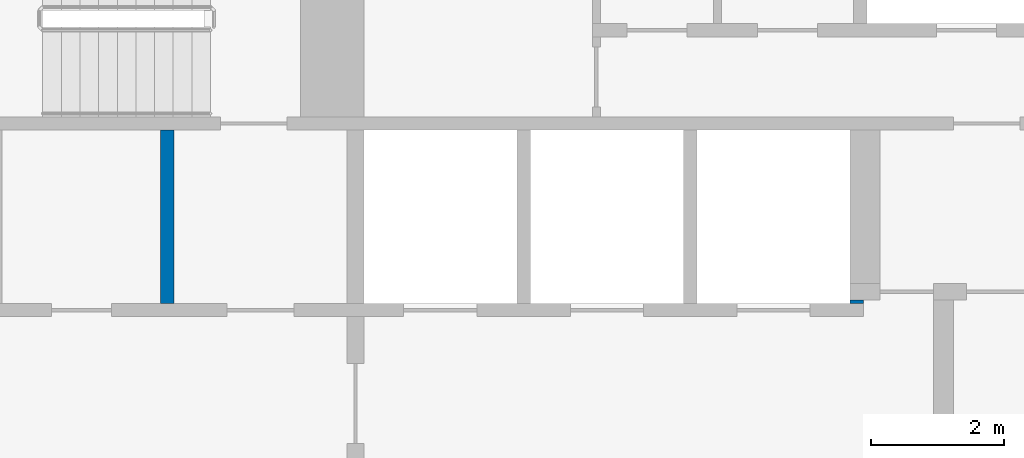
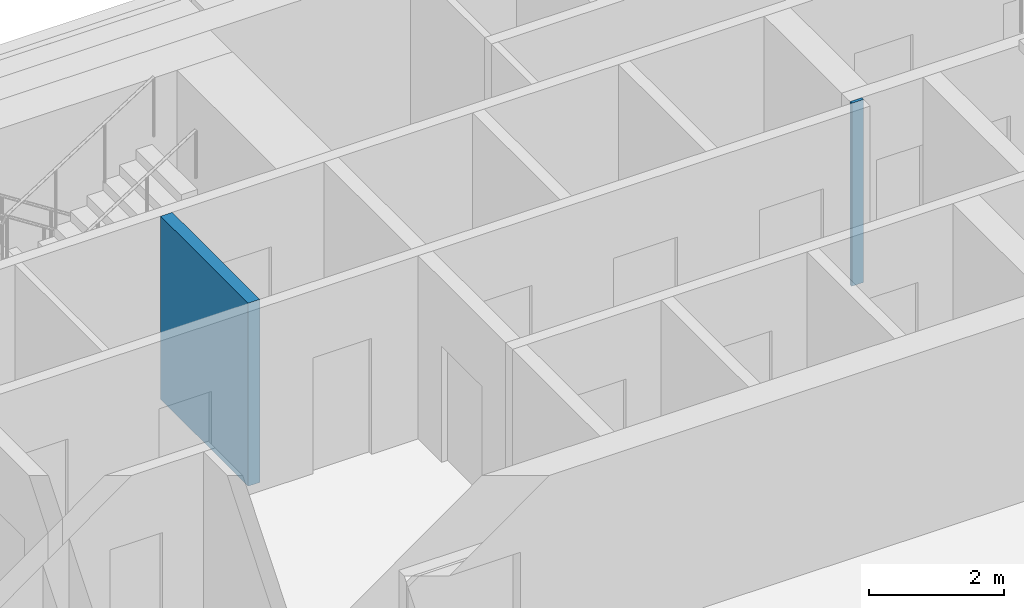
# One storey, part 19 of 27: 2 walls.
"""IFC4 building model written with IfcOpenShell, lengths in metres."""

from ifc_helpers import new_model, si_unit, direction, frame, frame_2d, origin, place, context, subcontext, project, spatial, rectangle, extrude, material, layer, layer_set, type_object, element, save


model = new_model("IFC4")

# Units and contexts
model_context = context("Model", 3, precision=1e-05, world=origin(), true_north=direction((0.0, 1.0)))
body_context = subcontext(model_context, "Body", "Model", "MODEL_VIEW")
ifc_project = project(units=[si_unit("LENGTHUNIT", "METRE"), si_unit("AREAUNIT", "SQUARE_METRE"), si_unit("VOLUMEUNIT", "CUBIC_METRE"), si_unit("PLANEANGLEUNIT", "RADIAN"), si_unit("MASSUNIT", "GRAM", prefix="KILO")], contexts=[model_context])

# Site, building, storey
site_placement = place(None, origin())
site = spatial("IfcSite", under=ifc_project, at=site_placement, CompositionType="ELEMENT")
building_placement = place(site_placement, origin())
building = spatial("IfcBuilding", under=site, at=building_placement, Name="Saffron Gate Tower", CompositionType="ELEMENT")
storey_placement = place(building_placement, frame((0.0, 0.0, 274.35009765625)))
storey = spatial("IfcBuildingStorey", under=building, at=storey_placement, Name="L66", CompositionType="ELEMENT", Elevation=274.35009765625)

# Walls
ifc_material_1 = material(Name="Gypsum board partition on steel studs", Category="steel")
ifc_layer_1 = layer(ifc_material_1, 0.199951171875)
ifc_layer_set_1 = layer_set([ifc_layer_1], Name="CW10 Core partition 200")
wall_type_1 = type_object("IfcWallType", Name="CW10 Core partition 200", PredefinedType="PARTITIONING", material=ifc_layer_set_1)
wall_1_placement = place(storey_placement, frame((88.699951171875, 68.0, 0.0), z_axis=(0.0, 0.0, 1.0), x_axis=(0.0, 1.0, 0.0)))
element("IfcWall", 1, at=wall_1_placement, inside=storey, type_object=wall_type_1, Name="Wall CW10-L66-23", PredefinedType="PARTITIONING", context=body_context, shape_type="SweptSolid", body=[
    extrude(rectangle(XDim=2.60009765625, YDim=0.199951171875, at=frame_2d((1.300048828125, 0.0))), origin(), (0.0, 0.0, 1.0), 3.31982421875),
])
ifc_material_2 = material(Name="Concrete C50", Category="concrete")
ifc_layer_2 = layer(ifc_material_2, 0.050048828125)
ifc_layer_set_2 = layer_set([ifc_layer_2], Name="CW27 RC core wall 50 C50")
wall_type_2 = type_object("IfcWallType", Name="CW27 RC core wall 50 C50", PredefinedType="SOLIDWALL", material=ifc_layer_set_2)
wall_2_placement = place(storey_placement, frame((98.949951171875, 68.02490234375, 0.0), z_axis=(0.0, 0.0, 1.0), x_axis=(1.0, 0.0, 0.0)))
element("IfcWall", 2, at=wall_2_placement, inside=storey, type_object=wall_type_2, Name="Wall CW27-L66-27", PredefinedType="SOLIDWALL", context=body_context, shape_type="SweptSolid", body=[
    extrude(rectangle(XDim=0.199951171875, YDim=0.050048828125, at=frame_2d((0.10009765625, 0.0))), origin(), (0.0, 0.0, 1.0), 3.31982421875),
])

save(model, "model.ifc")
